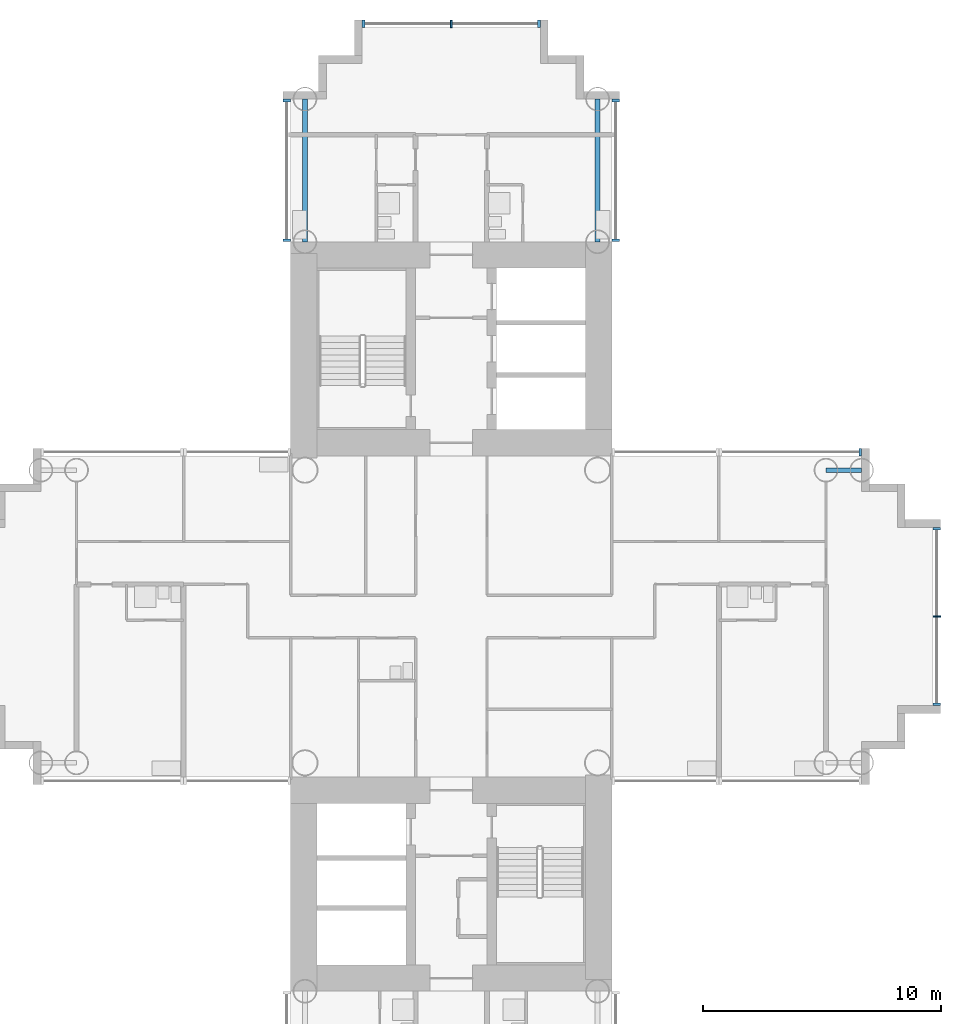
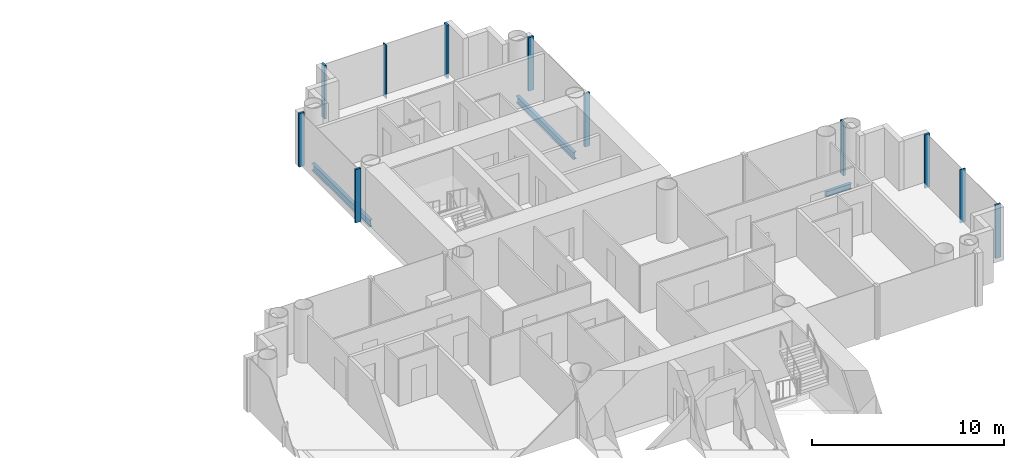
# One storey, part 6 of 21: 11 members, 3 beams, 5 elements without a shape of their own.
"""IFC4 building model written with IfcOpenShell, lengths in metres."""

import ifcopenshell
import ifcopenshell.guid

model = None  # the IFC model being written
_history = None  # IfcOwnerHistory: only IFC2X3 demands one
_inside = {}  # id of a spatial element -> (the spatial element, [elements in it])
_under = {}  # id of a project, library or spatial element -> (it, [spatial elements below it])
_declared = {}  # id of a project -> (the project, [libraries it declares])
_typed = {}  # id of a type object -> (the type object, [elements of that type])
_made_of = {}  # id of a material, layer set ... -> (it, [elements and type objects made of it])


def new_model(schema):
    """Start an empty IFC model of exactly this schema.

    Asked for "IFC4X3", IfcOpenShell would pick the latest addendum, in which some entities
    have other attributes; the version numbers below select the first issue.
    IFC2X3 requires an IfcOwnerHistory on every rooted entity: one is made here for all.
    """
    global model, _history
    if schema == "IFC4X3":
        model = ifcopenshell.file(schema_version=(4, 3, 0, 0))
    else:
        model = ifcopenshell.file(schema=schema)
    _inside.clear()
    _under.clear()
    _declared.clear()
    _typed.clear()
    _made_of.clear()
    _history = None
    if model.schema == "IFC2X3":
        org = make("IfcOrganization", Name="unknown")
        user = make(
            "IfcPersonAndOrganization",
            ThePerson=make("IfcPerson", FamilyName="unknown"),
            TheOrganization=org,
        )
        app = make(
            "IfcApplication",
            ApplicationDeveloper=org,
            Version="unknown",
            ApplicationFullName="unknown",
            ApplicationIdentifier="unknown",
        )
        _history = make(
            "IfcOwnerHistory",
            OwningUser=user,
            OwningApplication=app,
            ChangeAction="ADDED",
            CreationDate=0,
        )
    return model


def make(cls, **values):
    """One entity of the class cls with the attributes given. An attribute that is None is left unset."""
    return model.create_entity(
        cls, **{name: value for name, value in values.items() if value is not None}
    )


def rooted(cls, **values):
    """An entity with a GlobalId (a new one), such as an element, a storey or a relation."""
    return make(cls, GlobalId=ifcopenshell.guid.new(), OwnerHistory=_history, **values)


def si_unit(unit_type, name, prefix=None):
    """IfcSIUnit, for example si_unit("LENGTHUNIT", "METRE", prefix="MILLI")."""
    return make("IfcSIUnit", UnitType=unit_type, Prefix=prefix, Name=name)


def assignment(units):
    """IfcUnitAssignment: the units of a project."""
    return None if units is None else make("IfcUnitAssignment", Units=units)


def point(xyz):
    """IfcCartesianPoint."""
    return None if xyz is None else make("IfcCartesianPoint", Coordinates=xyz)


def direction(xyz):
    """IfcDirection."""
    return None if xyz is None else make("IfcDirection", DirectionRatios=xyz)


def frame(location, z_axis=None, x_axis=None):
    """IfcAxis2Placement3D, a coordinate frame: its origin and axes. An axis left out is left unset."""
    return make(
        "IfcAxis2Placement3D",
        Location=point(location),
        Axis=direction(z_axis),
        RefDirection=direction(x_axis),
    )


def frame_2d(location, x_axis=None):
    """IfcAxis2Placement2D, a coordinate frame in the plane: its origin and x axis."""
    return make(
        "IfcAxis2Placement2D", Location=point(location), RefDirection=direction(x_axis)
    )


def origin():
    """The frame at (0, 0, 0) with its axes left unset."""
    return frame((0.0, 0.0, 0.0))


def origin_2d():
    """The frame at (0, 0) in the plane with its x axis left unset."""
    return frame_2d((0.0, 0.0))


def place(relative_to, where):
    """IfcLocalPlacement: puts the frame where relative to a parent placement (None: the world)."""
    return make(
        "IfcLocalPlacement", PlacementRelTo=relative_to, RelativePlacement=where
    )


def context(
    kind, dimensions, precision=None, world=None, true_north=None, identifier=None
):
    """IfcGeometricRepresentationContext, for example the 3D "Model" context."""
    return make(
        "IfcGeometricRepresentationContext",
        ContextIdentifier=identifier,
        ContextType=kind,
        CoordinateSpaceDimension=dimensions,
        Precision=precision,
        WorldCoordinateSystem=world,
        TrueNorth=true_north,
    )


def subcontext(parent, identifier, kind, view, scale=None):
    """IfcGeometricRepresentationSubContext, for example "Body" below "Model"."""
    return make(
        "IfcGeometricRepresentationSubContext",
        ContextIdentifier=identifier,
        ContextType=kind,
        ParentContext=parent,
        TargetScale=scale,
        TargetView=view,
    )


def project(units=None, contexts=None):
    """IfcProject with its units and contexts."""
    return rooted(
        "IfcProject",
        Name="project",
        RepresentationContexts=contexts,
        UnitsInContext=assignment(units),
    )


def spatial(cls, under=None, at=None, **own):
    """A site, building, storey or space (cls), placed at a placement, below another one or the project."""
    s = rooted(cls, ObjectPlacement=at, **own)
    if under is not None:
        _under.setdefault(under.id(), (under, []))[1].append(s)
    return s


def profile(cls, at=None, kind="AREA", **sizes):
    """A parametric profile (cls). Its sizes go by their IFC names, for example OverallWidth=200.0."""
    return make(cls, ProfileType=kind, Position=at, **sizes)


def rectangle(**sizes):
    """IfcRectangleProfileDef."""
    return profile("IfcRectangleProfileDef", **sizes)


def i_section(**sizes):
    """IfcIShapeProfileDef."""
    return profile("IfcIShapeProfileDef", **sizes)


def extrude(swept, where, along, depth):
    """IfcExtrudedAreaSolid: the profile swept, set in the frame where, extruded along a direction by depth."""
    return make(
        "IfcExtrudedAreaSolid",
        SweptArea=swept,
        Position=where,
        ExtrudedDirection=direction(along),
        Depth=depth,
    )


def shape(context_of_items, identifier, shape_type, items):
    """IfcShapeRepresentation: the items that make up one representation, for example the "Body"."""
    return make(
        "IfcShapeRepresentation",
        ContextOfItems=context_of_items,
        RepresentationIdentifier=identifier,
        RepresentationType=shape_type,
        Items=items,
    )


def material(Name=None, Category=None):
    """IfcMaterial."""
    return make("IfcMaterial", Name=Name, Category=Category)


def layer(
    of_material, thickness, ventilated=None, Name=None, Category=None, Priority=None
):
    """IfcMaterialLayer: one layer of a wall or slab, of a material (None: an air gap)."""
    return make(
        "IfcMaterialLayer",
        Material=of_material,
        LayerThickness=thickness,
        IsVentilated=ventilated,
        Name=Name,
        Category=Category,
        Priority=Priority,
    )


def layer_set(layers, Name=None):
    """IfcMaterialLayerSet."""
    return make("IfcMaterialLayerSet", MaterialLayers=layers, LayerSetName=Name)


def material_profile(
    of_material, cross_section, Name=None, Category=None, Priority=None
):
    """IfcMaterialProfile: a cross section and its material."""
    return make(
        "IfcMaterialProfile",
        Name=Name,
        Material=of_material,
        Profile=cross_section,
        Priority=Priority,
        Category=Category,
    )


def profile_set(profiles, Name=None, composite=None):
    """IfcMaterialProfileSet."""
    return make(
        "IfcMaterialProfileSet",
        Name=Name,
        MaterialProfiles=profiles,
        CompositeProfile=composite,
    )


def made_of(thing, what):
    """Note that an element or type object is made of a material, layer set ...; save() writes the relation."""
    if what is not None:
        _made_of.setdefault(what.id(), (what, []))[1].append(thing)
    return thing


def type_object(cls, material=None, **own):
    """A type object (cls), such as IfcWallType, which elements share."""
    return made_of(rooted(cls, **own), material)


def element(
    cls,
    number,
    at=None,
    inside=None,
    cuts=None,
    type_object=None,
    material=None,
    context=None,
    identifier="Body",
    shape_type=None,
    held_by="IfcProductDefinitionShape",
    body=None,
    shapes=None,
    **own,
):
    """One element of the class cls, such as IfcWall. Its Tag is "e" and its number.

    at: its placement. inside: the storey or other place that contains it. cuts: it is an
    opening in that element (IfcRelVoidsElement). A single representation is given by context,
    identifier, shape_type and body (its items); several are given by shapes. held_by: the class
    of the entity that holds the representations. save() writes the other relations.
    """
    e = rooted(cls, Tag="e%d" % number, ObjectPlacement=at, **own)
    if body is not None:
        shapes = [shape(context, identifier, shape_type, body)]
    if shapes is not None:
        e.Representation = make(held_by, Representations=shapes)
    if inside is not None:
        _inside.setdefault(inside.id(), (inside, []))[1].append(e)
    if cuts is not None:
        rooted(
            "IfcRelVoidsElement", RelatingBuildingElement=cuts, RelatedOpeningElement=e
        )
    if type_object is not None:
        _typed.setdefault(type_object.id(), (type_object, []))[1].append(e)
    return made_of(e, material)


def aggregate(whole, parts):
    """IfcRelAggregates: a whole, such as a stair, and the parts it consists of."""
    return rooted("IfcRelAggregates", RelatingObject=whole, RelatedObjects=parts)


def save(model, path):
    """Write the relations noted so far, then the file.

    IfcRelAggregates (storeys below a building ...), IfcRelContainedInSpatialStructure (elements
    in a storey), IfcRelDefinesByType, IfcRelAssociatesMaterial and IfcRelDeclares: one each for
    every whole, place, type object, material and project.
    """
    for whole, parts in _under.values():
        aggregate(whole, parts)
    for where, things in _inside.values():
        rooted(
            "IfcRelContainedInSpatialStructure",
            RelatedElements=things,
            RelatingStructure=where,
        )
    for kind, things in _typed.values():
        rooted("IfcRelDefinesByType", RelatedObjects=things, RelatingType=kind)
    for what, things in _made_of.values():
        rooted("IfcRelAssociatesMaterial", RelatedObjects=things, RelatingMaterial=what)
    for by, libraries in _declared.values():
        rooted("IfcRelDeclares", RelatingContext=by, RelatedDefinitions=libraries)
    model.write(path)


model = new_model("IFC4")

# Units and contexts
model_context = context("Model", 3, precision=1e-05, world=origin(), true_north=direction((0.0, 1.0)))
body_context = subcontext(model_context, "Body", "Model", "MODEL_VIEW")
ifc_project = project(units=[si_unit("LENGTHUNIT", "METRE"), si_unit("AREAUNIT", "SQUARE_METRE"), si_unit("VOLUMEUNIT", "CUBIC_METRE"), si_unit("PLANEANGLEUNIT", "RADIAN"), si_unit("MASSUNIT", "GRAM", prefix="KILO")], contexts=[model_context])

# Site, building, storey
site_placement = place(None, origin())
site = spatial("IfcSite", under=ifc_project, at=site_placement, CompositionType="ELEMENT")
building_placement = place(site_placement, origin())
building = spatial("IfcBuilding", under=site, at=building_placement, Name="Ipe Terrace Towers", CompositionType="ELEMENT")
storey_placement = place(building_placement, frame((0.0, 0.0, 48.300048828125)))
storey = spatial("IfcBuildingStorey", under=building, at=storey_placement, Name="L12", CompositionType="ELEMENT", Elevation=48.300048828125)

# Beams
ifc_material_1 = material(Name="Steel S355", Category="steel")
ifc_material_profile_1 = material_profile(ifc_material_1, i_section(OverallWidth=0.175048828125, OverallDepth=0.35009765625, WebThickness=0.007080078125, FlangeThickness=0.010986328125, at=origin_2d()), Name="H-350x175x7x11")
ifc_profile_set_1 = profile_set([ifc_material_profile_1], Name="Steel S355")
beam_type_1 = type_object("IfcBeamType", Name="H04 EDGE BEAM H-350x175x7x11", PredefinedType="BEAM", material=ifc_profile_set_1)
beam_placement = place(storey_placement, frame((51.75, 6.14990234375, -0.574951171875), z_axis=(1.0, 0.0, 0.0), x_axis=(0.0, 1.0, 0.0)))
element("IfcBeam", 1, at=beam_placement, inside=storey, type_object=beam_type_1, Name="Edge beam T2-EB-D04-D06", PredefinedType="BEAM", context=body_context, shape_type="SweptSolid", body=[
    extrude(i_section(OverallWidth=0.175048828125, OverallDepth=0.35009765625, WebThickness=0.007080078125, FlangeThickness=0.010986328125, at=origin_2d()), origin(), (0.0, 0.0, 1.0), 1.5),
])
ifc_material_2 = material(Name="Steel S355", Category="steel")
ifc_material_profile_2 = material_profile(ifc_material_2, i_section(OverallWidth=0.199951171875, OverallDepth=0.449951171875, WebThickness=0.009033203125, FlangeThickness=0.013916015625, at=origin_2d()), Name="H-450x200x9x14")
ifc_profile_set_2 = profile_set([ifc_material_profile_2], Name="Steel S355")
beam_type_2 = type_object("IfcBeamType", Name="H08 EDGE BEAM H-450x200x9x14", PredefinedType="BEAM", material=ifc_profile_set_2)
for number, where, z_axis, x_axis, name in (
    (2, (42.14990234375, 15.75, -0.625), (0.0, 1.0, 0.0), (-1.0, 0.0, 0.0), "Edge beam T2-EB-A01-A03"),
    (3, (29.85009765625, 15.75, -0.625), (0.0, 1.0, 0.0), (-1.0, 0.0, 0.0), "Edge beam T2-EB-A02-A04"),
):
    element("IfcBeam", number, at=place(storey_placement, frame(where, z_axis=z_axis, x_axis=x_axis)), inside=storey, type_object=beam_type_2, Name=name, PredefinedType="BEAM", context=body_context, shape_type="SweptSolid", body=[
        extrude(i_section(OverallWidth=0.199951171875, OverallDepth=0.449951171875, WebThickness=0.009033203125, FlangeThickness=0.013916015625, at=origin_2d()), origin(), (0.0, 0.0, 1.0), 6.0),
    ])

# Curtain wall, members
ifc_material_3 = material(Name="Aluminium alloy 6063-T6", Category="aluminium")
ifc_layer = layer(ifc_material_3, 0.320068359375)
ifc_layer_set = layer_set([ifc_layer], Name="TOWER UNITISED CURTAIN WALL")
curtain_wall_type = type_object("IfcCurtainWallType", Name="TOWER UNITISED CURTAIN WALL", PredefinedType="NOTDEFINED", material=ifc_layer_set)
curtain_wall_1_placement = place(storey_placement, origin())
curtain_wall_1 = element("IfcCurtainWall", 4, at=curtain_wall_1_placement, inside=storey, type_object=curtain_wall_type, Name="T2-CW-L12-12a curtain wall", PredefinedType="NOTDEFINED")
ifc_material_4 = material(Name="Aluminium alloy 6063-T6", Category="aluminium")
ifc_material_profile_3 = material_profile(ifc_material_4, rectangle(XDim=0.320068359375, YDim=0.1201171875, at=origin_2d()), Name="TOWER UNITISED CORNER MULLION 320 x 120")
ifc_profile_set_3 = profile_set([ifc_material_profile_3], Name="Aluminium alloy 6063-T6")
member_type_1 = type_object("IfcMemberType", Name="TOWER UNITISED CORNER MULLION 320 x 120", PredefinedType="MULLION", material=ifc_profile_set_3)
member_1_placement = place(storey_placement, frame((56.409912109375, -3.68994140625, -0.300048828125), z_axis=(0.0, 0.0, 1.0), x_axis=(1.0, 0.0, 0.0)))
member_1 = element("IfcMember", 5, at=member_1_placement, type_object=member_type_1, Name="T2-CW-L12-12a mullion 1", PredefinedType="MULLION", context=body_context, shape_type="SweptSolid", body=[
    extrude(rectangle(XDim=0.320068359375, YDim=0.1201171875, at=origin_2d()), origin(), (0.0, 0.0, 1.0), 3.39990234375),
])
member_2_placement = place(storey_placement, frame((56.409912109375, 3.68994140625, -0.300048828125), z_axis=(0.0, 0.0, 1.0), x_axis=(1.0, 0.0, 0.0)))
member_2 = element("IfcMember", 6, at=member_2_placement, type_object=member_type_1, Name="T2-CW-L12-12a mullion 3", PredefinedType="MULLION", context=body_context, shape_type="SweptSolid", body=[
    extrude(rectangle(XDim=0.320068359375, YDim=0.1201171875, at=origin_2d()), origin(), (0.0, 0.0, 1.0), 3.39990234375),
])

# Curtain wall, member
curtain_wall_2_placement = place(storey_placement, origin())
curtain_wall_2 = element("IfcCurtainWall", 7, at=curtain_wall_2_placement, inside=storey, type_object=curtain_wall_type, Name="T2-CW-L12-17a curtain wall", PredefinedType="NOTDEFINED")
member_3_placement = place(storey_placement, frame((53.18994140625, 6.909912109375, -0.300048828125), z_axis=(0.0, 0.0, 1.0), x_axis=(0.0, 1.0, 0.0)))
member_3 = element("IfcMember", 8, at=member_3_placement, type_object=member_type_1, Name="T2-CW-L12-17a mullion 1", PredefinedType="MULLION", context=body_context, shape_type="SweptSolid", body=[
    extrude(rectangle(XDim=0.320068359375, YDim=0.1201171875, at=origin_2d()), origin(), (0.0, 0.0, 1.0), 3.39990234375),
])
aggregate(curtain_wall_2, [member_3])

# Curtain wall, members
curtain_wall_3_placement = place(storey_placement, origin())
curtain_wall_3 = element("IfcCurtainWall", 9, at=curtain_wall_3_placement, inside=storey, type_object=curtain_wall_type, Name="T2-CW-L12-20b curtain wall", PredefinedType="NOTDEFINED")
member_4_placement = place(storey_placement, frame((42.909912109375, 15.81103515625, -0.300048828125), z_axis=(0.0, 0.0, 1.0), x_axis=(1.0, 0.0, 0.0)))
member_4 = element("IfcMember", 10, at=member_4_placement, type_object=member_type_1, Name="T2-CW-L12-20b mullion 1", PredefinedType="MULLION", context=body_context, shape_type="SweptSolid", body=[
    extrude(rectangle(XDim=0.320068359375, YDim=0.1201171875, at=origin_2d()), origin(), (0.0, 0.0, 1.0), 3.39990234375),
])
member_5_placement = place(storey_placement, frame((42.909912109375, 21.68994140625, -0.300048828125), z_axis=(0.0, 0.0, 1.0), x_axis=(1.0, 0.0, 0.0)))
member_5 = element("IfcMember", 11, at=member_5_placement, type_object=member_type_1, Name="T2-CW-L12-20b mullion 2", PredefinedType="MULLION", context=body_context, shape_type="SweptSolid", body=[
    extrude(rectangle(XDim=0.320068359375, YDim=0.1201171875, at=origin_2d()), origin(), (0.0, 0.0, 1.0), 3.39990234375),
])
aggregate(curtain_wall_3, [member_4, member_5])

curtain_wall_4_placement = place(storey_placement, origin())
curtain_wall_4 = element("IfcCurtainWall", 12, at=curtain_wall_4_placement, inside=storey, type_object=curtain_wall_type, Name="T2-CW-L12-25a curtain wall", PredefinedType="NOTDEFINED")
member_6_placement = place(storey_placement, frame((39.68994140625, 24.909912109375, -0.300048828125), z_axis=(0.0, 0.0, 1.0), x_axis=(0.0, 1.0, 0.0)))
member_6 = element("IfcMember", 13, at=member_6_placement, type_object=member_type_1, Name="T2-CW-L12-25a mullion 1", PredefinedType="MULLION", context=body_context, shape_type="SweptSolid", body=[
    extrude(rectangle(XDim=0.320068359375, YDim=0.1201171875, at=origin_2d()), origin(), (0.0, 0.0, 1.0), 3.39990234375),
])
member_7_placement = place(storey_placement, frame((32.31005859375, 24.909912109375, -0.300048828125), z_axis=(0.0, 0.0, 1.0), x_axis=(0.0, 1.0, 0.0)))
member_7 = element("IfcMember", 14, at=member_7_placement, type_object=member_type_1, Name="T2-CW-L12-25a mullion 3", PredefinedType="MULLION", context=body_context, shape_type="SweptSolid", body=[
    extrude(rectangle(XDim=0.320068359375, YDim=0.1201171875, at=origin_2d()), origin(), (0.0, 0.0, 1.0), 3.39990234375),
])

curtain_wall_5_placement = place(storey_placement, origin())
curtain_wall_5 = element("IfcCurtainWall", 15, at=curtain_wall_5_placement, inside=storey, type_object=curtain_wall_type, Name="T2-CW-L12-30a curtain wall", PredefinedType="NOTDEFINED")
member_8_placement = place(storey_placement, frame((29.090087890625, 21.68994140625, -0.300048828125), z_axis=(0.0, 0.0, 1.0), x_axis=(-1.0, 0.0, 0.0)))
member_8 = element("IfcMember", 16, at=member_8_placement, type_object=member_type_1, Name="T2-CW-L12-30a mullion 1", PredefinedType="MULLION", context=body_context, shape_type="SweptSolid", body=[
    extrude(rectangle(XDim=0.320068359375, YDim=0.1201171875, at=origin_2d()), origin(), (0.0, 0.0, 1.0), 3.39990234375),
])
member_9_placement = place(storey_placement, frame((29.090087890625, 15.81103515625, -0.300048828125), z_axis=(0.0, 0.0, 1.0), x_axis=(-1.0, 0.0, 0.0)))
member_9 = element("IfcMember", 17, at=member_9_placement, type_object=member_type_1, Name="T2-CW-L12-30a mullion 2", PredefinedType="MULLION", context=body_context, shape_type="SweptSolid", body=[
    extrude(rectangle(XDim=0.320068359375, YDim=0.1201171875, at=origin_2d()), origin(), (0.0, 0.0, 1.0), 3.39990234375),
])
aggregate(curtain_wall_5, [member_8, member_9])

# Member
ifc_material_5 = material(Name="Aluminium alloy 6063-T6", Category="aluminium")
ifc_material_profile_4 = material_profile(ifc_material_5, rectangle(XDim=0.320068359375, YDim=0.06494140625, at=origin_2d()), Name="TOWER UNITISED MULLION 320 x 65")
ifc_profile_set_4 = profile_set([ifc_material_profile_4], Name="Aluminium alloy 6063-T6")
member_type_2 = type_object("IfcMemberType", Name="TOWER UNITISED MULLION 320 x 65", PredefinedType="MULLION", material=ifc_profile_set_4)
member_10_placement = place(storey_placement, frame((56.409912109375, 0.0, -0.300048828125), z_axis=(0.0, 0.0, 1.0), x_axis=(1.0, 0.0, 0.0)))
member_10 = element("IfcMember", 18, at=member_10_placement, type_object=member_type_2, Name="T2-CW-L12-12a mullion 2", PredefinedType="MULLION", context=body_context, shape_type="SweptSolid", body=[
    extrude(rectangle(XDim=0.320068359375, YDim=0.06494140625, at=origin_2d()), origin(), (0.0, 0.0, 1.0), 3.39990234375),
])

aggregate(curtain_wall_1, [member_1, member_10, member_2])

member_11_placement = place(storey_placement, frame((36.0, 24.909912109375, -0.300048828125), z_axis=(0.0, 0.0, 1.0), x_axis=(0.0, 1.0, 0.0)))
member_11 = element("IfcMember", 19, at=member_11_placement, type_object=member_type_2, Name="T2-CW-L12-25a mullion 2", PredefinedType="MULLION", context=body_context, shape_type="SweptSolid", body=[
    extrude(rectangle(XDim=0.320068359375, YDim=0.06494140625, at=origin_2d()), origin(), (0.0, 0.0, 1.0), 3.39990234375),
])

aggregate(curtain_wall_4, [member_6, member_11, member_7])

save(model, "model.ifc")
